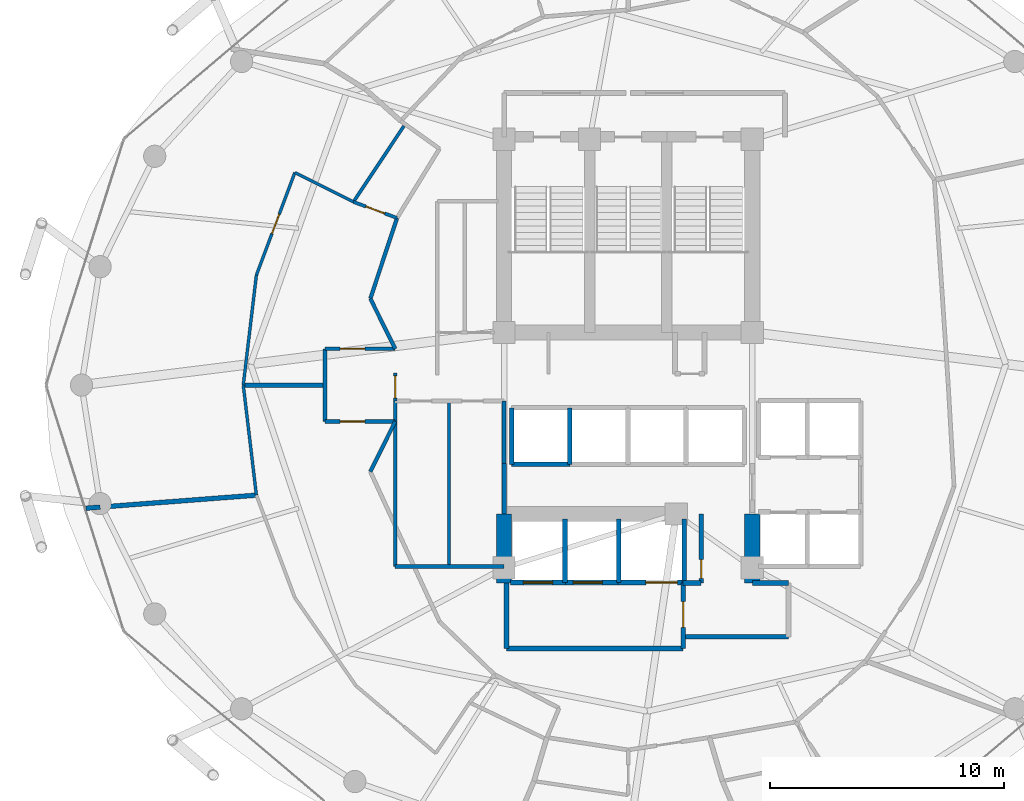
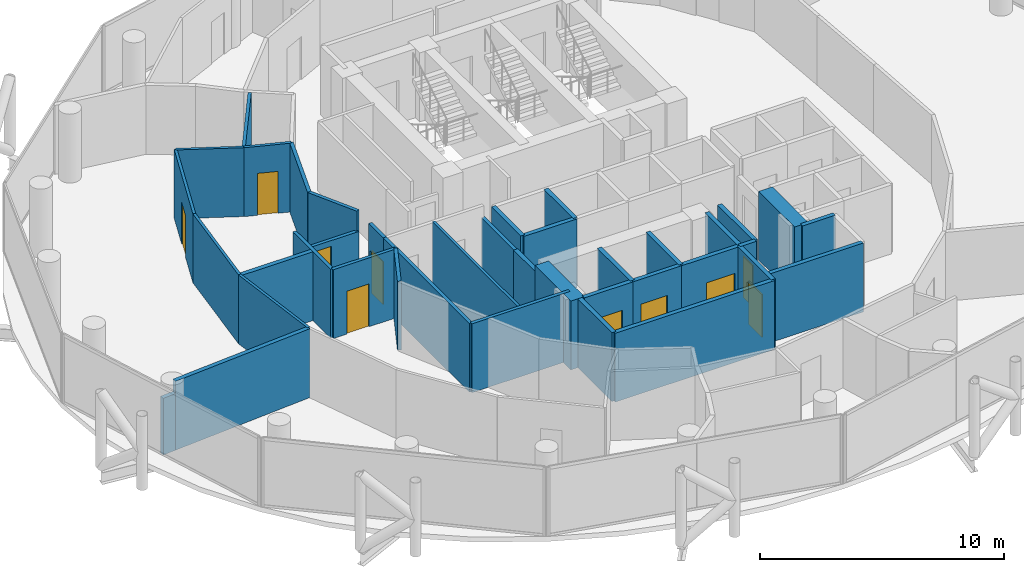
# One storey, part 22 of 26: 39 walls, 10 doors, 10 openings.
"""IFC4 building model written with IfcOpenShell, lengths in metres."""

from ifc_helpers import new_model, si_unit, direction, frame, frame_2d, origin, place, context, subcontext, project, spatial, rectangle, extrude, material, layer, layer_set, type_object, element, fill, save


model = new_model("IFC4")

# Units and contexts
model_context = context("Model", 3, precision=1e-05, world=origin(), true_north=direction((0.0, 1.0)))
body_context = subcontext(model_context, "Body", "Model", "MODEL_VIEW")
ifc_project = project(units=[si_unit("LENGTHUNIT", "METRE"), si_unit("AREAUNIT", "SQUARE_METRE"), si_unit("VOLUMEUNIT", "CUBIC_METRE"), si_unit("PLANEANGLEUNIT", "RADIAN"), si_unit("MASSUNIT", "GRAM", prefix="KILO")], contexts=[model_context])

# Site, building, storey
site_placement = place(None, origin())
site = spatial("IfcSite", under=ifc_project, at=site_placement, CompositionType="ELEMENT")
building_placement = place(site_placement, origin())
building = spatial("IfcBuilding", under=site, at=building_placement, Name="Nuhasar Tower", CompositionType="ELEMENT")
storey_placement = place(building_placement, frame((0.0, 0.0, 147.85009765625)))
storey = spatial("IfcBuildingStorey", under=building, at=storey_placement, Name="L35", CompositionType="ELEMENT", Elevation=147.85009765625)

# Walls
ifc_material_1 = material(Name="Concrete C65/80", Category="concrete")
ifc_layer_1 = layer(ifc_material_1, 0.64990234375)
ifc_layer_set_1 = layer_set([ifc_layer_1], Name="Concrete C65/80")
wall_type_1 = type_object("IfcWallType", Name="WL-CORE-650", PredefinedType="SHEAR", material=ifc_layer_set_1)
for number, where, z_axis, x_axis, name in (
    (1, (33.699951171875, 18.35009765625, 0.0), (0.0, 0.0, 1.0), (0.0, 1.0, 0.0), "L35 Core Shear Wall CW-SW CW-650"),
    (2, (44.300048828125, 18.35009765625, 0.0), (0.0, 0.0, 1.0), (0.0, 1.0, 0.0), "L35 Core Shear Wall CW-SE CW-650"),
):
    element("IfcWall", number, at=place(storey_placement, frame(where, z_axis=z_axis, x_axis=x_axis)), inside=storey, type_object=wall_type_1, Name=name, PredefinedType="SHEAR", context=body_context, shape_type="SweptSolid", body=[
        extrude(rectangle(XDim=2.949951171875, YDim=0.64990234375, at=frame_2d((1.47509765625, 0.0))), origin(), (0.0, 0.0, 1.0), 3.449951171875),
    ])
ifc_material_2 = material(Name="Gypsum Board", Category="gypsum")
ifc_layer_2 = layer(ifc_material_2, 0.159912109375)
ifc_layer_set_2 = layer_set([ifc_layer_2], Name="Gypsum Board")
wall_type_2 = type_object("IfcWallType", Name="WL-CORR-160", PredefinedType="PARTITIONING", material=ifc_layer_set_2)
wall_1_placement = place(storey_placement, frame((29.050048828125, 19.050048828125, 0.0), z_axis=(0.0, 0.0, 1.0), x_axis=(1.0, 0.0, 0.0)))
element("IfcWall", 3, at=wall_1_placement, inside=storey, type_object=wall_type_2, Name="L35 Interior Partition RECL-B1-S", PredefinedType="PARTITIONING", context=body_context, shape_type="SweptSolid", body=[
    extrude(rectangle(XDim=4.64990234375, YDim=0.159912109375, at=frame_2d((2.324951171875, 0.0))), origin(), (0.0, 0.0, 1.0), 3.449951171875),
])
wall_2_placement = place(storey_placement, frame((29.050048828125, 19.050048828125, 0.0), z_axis=(0.0, 0.0, 1.0), x_axis=(0.0, 1.0, 0.0)))
element("IfcWall", 4, at=wall_2_placement, inside=storey, type_object=wall_type_2, Name="L35 Interior Partition RECL-B1-W", PredefinedType="PARTITIONING", context=body_context, shape_type="SweptSolid", body=[
    extrude(rectangle(XDim=7.070068359375, YDim=0.159912109375, at=frame_2d((3.53515625, 0.0))), origin(), (0.0, 0.0, 1.0), 3.449951171875),
])
wall_3_placement = place(storey_placement, frame((33.699951171875, 23.449951171875, 0.0), z_axis=(0.0, 0.0, 1.0), x_axis=(0.0, 1.0, 0.0)))
element("IfcWall", 5, at=wall_3_placement, inside=storey, type_object=wall_type_2, Name="L35 Interior Partition RECL-B1-E", PredefinedType="PARTITIONING", context=body_context, shape_type="SweptSolid", body=[
    extrude(rectangle(XDim=2.670166015625, YDim=0.159912109375, at=frame_2d((1.3349609375, 0.0))), origin(), (0.0, 0.0, 1.0), 2.8349609375),
])

# Wall, opening, door
wall_4_placement = place(storey_placement, frame((29.050048828125, 26.1201171875, 0.0), z_axis=(0.0, 0.0, 1.0), x_axis=(0.0, 1.0, 0.0)))
wall_4 = element("IfcWall", 6, at=wall_4_placement, inside=storey, type_object=wall_type_2, Name="L35 Interior Partition WVEST-E", PredefinedType="PARTITIONING", context=body_context, shape_type="SweptSolid", body=[
    extrude(rectangle(XDim=1.199951171875, YDim=0.159912109375, at=frame_2d((0.60009765625, 0.0))), origin(), (0.0, 0.0, 1.0), 3.449951171875),
])
opening_1_placement = place(wall_4_placement, frame((0.125, 0.0, 0.0)))
opening_1 = element("IfcOpeningElement", 7, at=opening_1_placement, cuts=wall_4, Name="Opening DO-01", PredefinedType="OPENING", context=body_context, shape_type="SweptSolid", body=[
    extrude(rectangle(XDim=0.949951171875, YDim=2.14990234375, at=frame_2d((0.47509765625, 1.074951171875))), frame((0.0, 0.08984375, 0.0), z_axis=(0.0, -1.0, 0.0), x_axis=(1.0, 0.0, 0.0)), (0.0, 0.0, 1.0), 0.179931640625),
])
ifc_material_3 = material(Name="Timber Oak", Category="wood")
door_type_1 = type_object("IfcDoorType", Name="DR-OFFICE-FD30-950", OperationType="NOTDEFINED", PredefinedType="DOOR", material=ifc_material_3)
door_1_placement = place(opening_1_placement, origin())
door_1 = element("IfcDoor", 8, at=door_1_placement, inside=storey, type_object=door_type_1, Name="L35 West Arrival Foyer Core Door", OperationType="SINGLE_SWING_LEFT", OverallHeight=2.14990234375, OverallWidth=0.949951171875, PredefinedType="DOOR", context=body_context, shape_type="SweptSolid", body=[
    extrude(rectangle(XDim=0.949951171875, YDim=2.14990234375, at=frame_2d((0.47509765625, 1.074951171875))), frame((0.0, 0.02490234375, 0.0), z_axis=(0.0, -1.0, 0.0), x_axis=(1.0, 0.0, 0.0)), (0.0, 0.0, 1.0), 0.050048828125),
])
fill(opening_1, door_1)

# Wall
wall_5_placement = place(storey_placement, frame((29.126953125, 33.93994140625, 0.0), z_axis=(0.0, 0.0, 1.0), x_axis=(-0.313985571683, -0.949427754374, 0.0)))
element("IfcWall", 9, at=wall_5_placement, inside=storey, type_object=wall_type_2, Name="L35 Interior Partition HWEST-CORE-N-20", PredefinedType="PARTITIONING", context=body_context, shape_type="SweptSolid", body=[
    extrude(rectangle(XDim=3.627197265625, YDim=0.159912109375, at=frame_2d((1.8134765625, 0.0))), origin(), (0.0, 0.0, 1.0), 3.449951171875),
])

# Wall, opening, door
wall_6_placement = place(storey_placement, frame((26.050048828125, 28.35009765625, 0.0), z_axis=(0.0, 0.0, 1.0), x_axis=(1.0, 0.0, 0.0)))
wall_6 = element("IfcWall", 10, at=wall_6_placement, inside=storey, type_object=wall_type_2, Name="L35 Interior Partition WVEST-N", PredefinedType="PARTITIONING", context=body_context, shape_type="SweptSolid", body=[
    extrude(rectangle(XDim=3.0, YDim=0.159912109375, at=frame_2d((1.5, 0.0))), origin(), (0.0, 0.0, 1.0), 2.43994140625),
])
opening_2_placement = place(wall_6_placement, frame((0.64990234375, 0.0, 0.0)))
opening_2 = element("IfcOpeningElement", 11, at=opening_2_placement, cuts=wall_6, Name="Opening DU-01", PredefinedType="OPENING", context=body_context, shape_type="SweptSolid", body=[
    extrude(rectangle(XDim=1.050048828125, YDim=2.14990234375, at=frame_2d((0.52490234375, 1.074951171875))), frame((0.0, 0.08984375, 0.0), z_axis=(0.0, -1.0, 0.0), x_axis=(1.0, 0.0, 0.0)), (0.0, 0.0, 1.0), 0.179931640625),
])
door_type_2 = type_object("IfcDoorType", Name="DR-SUITE-FD60-1050", OperationType="NOTDEFINED", PredefinedType="DOOR", material=ifc_material_3)
door_2_placement = place(opening_2_placement, origin())
door_2 = element("IfcDoor", 12, at=door_2_placement, inside=storey, type_object=door_type_2, Name="L35 North-West Sunset Suite Entrance", OperationType="SINGLE_SWING_LEFT", OverallHeight=2.14990234375, OverallWidth=1.050048828125, PredefinedType="DOOR", context=body_context, shape_type="SweptSolid", body=[
    extrude(rectangle(XDim=1.050048828125, YDim=2.14990234375, at=frame_2d((0.52490234375, 1.074951171875))), frame((0.0, 0.02490234375, 0.0), z_axis=(0.0, -1.0, 0.0), x_axis=(1.0, 0.0, 0.0)), (0.0, 0.0, 1.0), 0.050048828125),
])
fill(opening_2, door_2)

wall_7_placement = place(storey_placement, frame((26.050048828125, 25.25, 0.0), z_axis=(0.0, 0.0, 1.0), x_axis=(1.0, 0.0, 0.0)))
wall_7 = element("IfcWall", 13, at=wall_7_placement, inside=storey, type_object=wall_type_2, Name="L35 Interior Partition WVEST-S", PredefinedType="PARTITIONING", context=body_context, shape_type="SweptSolid", body=[
    extrude(rectangle(XDim=3.0, YDim=0.159912109375, at=frame_2d((1.5, 0.0))), origin(), (0.0, 0.0, 1.0), 3.449951171875),
])
opening_3_placement = place(wall_7_placement, frame((0.64990234375, 0.0, 0.0)))
opening_3 = element("IfcOpeningElement", 14, at=opening_3_placement, cuts=wall_7, Name="Opening DU-01", PredefinedType="OPENING", context=body_context, shape_type="SweptSolid", body=[
    extrude(rectangle(XDim=1.050048828125, YDim=2.14990234375, at=frame_2d((0.52490234375, 1.074951171875))), frame((0.0, 0.08984375, 0.0), z_axis=(0.0, -1.0, 0.0), x_axis=(1.0, 0.0, 0.0)), (0.0, 0.0, 1.0), 0.179931640625),
])
door_3_placement = place(opening_3_placement, origin())
door_3 = element("IfcDoor", 15, at=door_3_placement, inside=storey, type_object=door_type_2, Name="L35 South-West Presidential Suite Entrance", OperationType="SINGLE_SWING_LEFT", OverallHeight=2.14990234375, OverallWidth=1.050048828125, PredefinedType="DOOR", context=body_context, shape_type="SweptSolid", body=[
    extrude(rectangle(XDim=1.050048828125, YDim=2.14990234375, at=frame_2d((0.52490234375, 1.074951171875))), frame((0.0, 0.02490234375, 0.0), z_axis=(0.0, -1.0, 0.0), x_axis=(1.0, 0.0, 0.0)), (0.0, 0.0, 1.0), 0.050048828125),
])
fill(opening_3, door_3)

# Walls
wall_8_placement = place(storey_placement, frame((26.050048828125, 25.25, 0.0), z_axis=(0.0, 0.0, 1.0), x_axis=(0.0, 1.0, 0.0)))
element("IfcWall", 16, at=wall_8_placement, inside=storey, type_object=wall_type_2, Name="L35 Interior Partition WVEST-W", PredefinedType="PARTITIONING", context=body_context, shape_type="SweptSolid", body=[
    extrude(rectangle(XDim=3.10009765625, YDim=0.159912109375, at=frame_2d((1.550048828125, 0.0))), origin(), (0.0, 0.0, 1.0), 3.449951171875),
])
for number, where, z_axis, x_axis, name in (
    (17, (27.988037109375, 30.49609375, 0.0), (0.0, 0.0, 1.0), (0.443539160525, -0.896254993337, 0.0), "L35 Interior Partition WVEST-CN"),
    (18, (27.988037109375, 23.10400390625, 0.0), (0.0, 0.0, 1.0), (0.443539160525, 0.896254993337, 0.0), "L35 Interior Partition WVEST-CS"),
):
    element("IfcWall", number, at=place(storey_placement, frame(where, z_axis=z_axis, x_axis=x_axis)), inside=storey, type_object=wall_type_2, Name=name, PredefinedType="PARTITIONING", context=body_context, shape_type="SweptSolid", body=[
        extrude(rectangle(XDim=2.394287109375, YDim=0.159912109375, at=frame_2d((1.197265625, 0.0))), origin(), (0.0, 0.0, 1.0), 3.449951171875),
    ])
ifc_material_4 = material(Name="Concrete C45/55", Category="concrete")
ifc_layer_3 = layer(ifc_material_4, 0.199951171875)
ifc_layer_set_3 = layer_set([ifc_layer_3], Name="Concrete C45/55")
wall_type_3 = type_object("IfcWallType", Name="WL-LOBBY-200", PredefinedType="SOLIDWALL", material=ifc_layer_set_3)
wall_9_placement = place(storey_placement, frame((33.699951171875, 21.300048828125, 0.0), z_axis=(0.0, 0.0, 1.0), x_axis=(0.0, 1.0, 0.0)))
element("IfcWall", 19, at=wall_9_placement, inside=storey, type_object=wall_type_3, Name="L35 Interior Partition LLBH-W", PredefinedType="SOLIDWALL", context=body_context, shape_type="SweptSolid", body=[
    extrude(rectangle(XDim=2.14990234375, YDim=0.199951171875, at=frame_2d((1.074951171875, 0.0))), origin(), (0.0, 0.0, 1.0), 2.8349609375),
])
wall_10_placement = place(storey_placement, frame((33.800048828125, 15.550048828125, 0.0), z_axis=(0.0, 0.0, 1.0), x_axis=(1.0, 0.0, 0.0)))
element("IfcWall", 20, at=wall_10_placement, inside=storey, type_object=wall_type_3, Name="L35 Interior Partition FFL-S", PredefinedType="SOLIDWALL", context=body_context, shape_type="SweptSolid", body=[
    extrude(rectangle(XDim=7.550048828125, YDim=0.199951171875, at=frame_2d((3.77490234375, 0.0))), origin(), (0.0, 0.0, 1.0), 3.449951171875),
])
wall_11_placement = place(storey_placement, frame((33.800048828125, 15.550048828125, 0.0), z_axis=(0.0, 0.0, 1.0), x_axis=(0.0, 1.0, 0.0)))
element("IfcWall", 21, at=wall_11_placement, inside=storey, type_object=wall_type_3, Name="L35 Interior Partition FFL-W", PredefinedType="SOLIDWALL", context=body_context, shape_type="SweptSolid", body=[
    extrude(rectangle(XDim=2.800048828125, YDim=0.199951171875, at=frame_2d((1.39990234375, 0.0))), origin(), (0.0, 0.0, 1.0), 3.449951171875),
])

# Wall, opening, door
wall_12_placement = place(storey_placement, frame((41.35009765625, 15.550048828125, 0.0), z_axis=(0.0, 0.0, 1.0), x_axis=(0.0, 1.0, 0.0)))
wall_12 = element("IfcWall", 22, at=wall_12_placement, inside=storey, type_object=wall_type_3, Name="L35 Interior Partition FFL-E", PredefinedType="SOLIDWALL", context=body_context, shape_type="SweptSolid", body=[
    extrude(rectangle(XDim=2.800048828125, YDim=0.199951171875, at=frame_2d((1.39990234375, 0.0))), origin(), (0.0, 0.0, 1.0), 3.449951171875),
])
opening_4_placement = place(wall_12_placement, frame((0.89990234375, 0.0, 0.0)))
opening_4 = element("IfcOpeningElement", 23, at=opening_4_placement, cuts=wall_12, Name="Opening DS-02", PredefinedType="OPENING", context=body_context, shape_type="SweptSolid", body=[
    extrude(rectangle(XDim=1.10009765625, YDim=2.14990234375, at=frame_2d((0.550048828125, 1.074951171875))), frame((0.0, 0.10986328125, 0.0), z_axis=(0.0, -1.0, 0.0), x_axis=(1.0, 0.0, 0.0)), (0.0, 0.0, 1.0), 0.219970703125),
])
ifc_material_5 = material(Name="Steel S355", Category="steel")
door_type_3 = type_object("IfcDoorType", Name="DR-FFL-FD120-1100", OperationType="NOTDEFINED", PredefinedType="DOOR", material=ifc_material_5)
door_4_placement = place(opening_4_placement, origin())
door_4 = element("IfcDoor", 24, at=door_4_placement, inside=storey, type_object=door_type_3, Name="L35 Firefighting Lobby Door", OperationType="SINGLE_SWING_RIGHT", OverallHeight=2.14990234375, OverallWidth=1.10009765625, PredefinedType="DOOR", context=body_context, shape_type="SweptSolid", body=[
    extrude(rectangle(XDim=1.10009765625, YDim=2.14990234375, at=frame_2d((0.550048828125, 1.074951171875))), frame((0.0, 0.02490234375, 0.0), z_axis=(0.0, -1.0, 0.0), x_axis=(1.0, 0.0, 0.0)), (0.0, 0.0, 1.0), 0.050048828125),
])
fill(opening_4, door_4)

# Walls
wall_13_placement = place(storey_placement, frame((41.35009765625, 16.050048828125, 0.0), z_axis=(0.0, 0.0, 1.0), x_axis=(1.0, 0.0, 0.0)))
element("IfcWall", 25, at=wall_13_placement, inside=storey, type_object=wall_type_3, Name="L35 Interior Partition SVLV-S", PredefinedType="SOLIDWALL", context=body_context, shape_type="SweptSolid", body=[
    extrude(rectangle(XDim=4.5, YDim=0.199951171875, at=frame_2d((2.25, 0.0))), origin(), (0.0, 0.0, 1.0), 3.449951171875),
])
wall_14_placement = place(storey_placement, frame((44.300048828125, 18.35009765625, 0.0), z_axis=(0.0, 0.0, 1.0), x_axis=(1.0, 0.0, 0.0)))
element("IfcWall", 26, at=wall_14_placement, inside=storey, type_object=wall_type_3, Name="L35 Interior Partition SVLV-N", PredefinedType="SOLIDWALL", context=body_context, shape_type="SweptSolid", body=[
    extrude(rectangle(XDim=1.550048828125, YDim=0.199951171875, at=frame_2d((0.77490234375, 0.0))), origin(), (0.0, 0.0, 1.0), 3.449951171875),
])
ifc_layer_4 = layer(ifc_material_2, 0.125)
ifc_layer_set_4 = layer_set([ifc_layer_4], Name="Gypsum Board")
wall_type_4 = type_object("IfcWallType", Name="WL-PART-125", PredefinedType="PARTITIONING", material=ifc_layer_set_4)
wall_15_placement = place(storey_placement, frame((31.35009765625, 19.050048828125, 0.0), z_axis=(0.0, 0.0, 1.0), x_axis=(0.0, 1.0, 0.0)))
element("IfcWall", 27, at=wall_15_placement, inside=storey, type_object=wall_type_4, Name="L35 Interior Partition RECL-B1-V", PredefinedType="PARTITIONING", context=body_context, shape_type="SweptSolid", body=[
    extrude(rectangle(XDim=7.070068359375, YDim=0.125, at=frame_2d((3.53515625, 0.0))), origin(), (0.0, 0.0, 1.0), 3.449951171875),
])
wall_16_placement = place(storey_placement, frame((27.264892578125, 34.625, 0.0), z_axis=(0.0, 0.0, 1.0), x_axis=(-0.893868262645, 0.448329710187, 0.0)))
element("IfcWall", 28, at=wall_16_placement, inside=storey, type_object=wall_type_4, Name="L35 Interior Partition HWS1-S", PredefinedType="PARTITIONING", context=body_context, shape_type="SweptSolid", body=[
    extrude(rectangle(XDim=2.799072265625, YDim=0.125, at=frame_2d((1.3994140625, 0.0))), origin(), (0.0, 0.0, 1.0), 3.449951171875),
])

# Wall, opening, door
wall_17_placement = place(storey_placement, frame((24.762939453125, 35.8798828125, 0.0), z_axis=(0.0, 0.0, 1.0), x_axis=(-0.351192075157, -0.936303437111, 0.0)))
wall_17 = element("IfcWall", 29, at=wall_17_placement, inside=storey, type_object=wall_type_4, Name="L35 Interior Partition HWS1-ARC-20", PredefinedType="PARTITIONING", context=body_context, shape_type="SweptSolid", body=[
    extrude(rectangle(XDim=4.677734375, YDim=0.125, at=frame_2d((2.3388671875, 0.0))), origin(), (0.0, 0.0, 1.0), 3.449951171875),
])
opening_5_placement = place(wall_17_placement, frame((1.888916015625, 0.0, 0.0)))
opening_5 = element("IfcOpeningElement", 30, at=opening_5_placement, cuts=wall_17, Name="Opening DR-01", PredefinedType="OPENING", context=body_context, shape_type="SweptSolid", body=[
    extrude(rectangle(XDim=0.89990234375, YDim=2.10009765625, at=frame_2d((0.449951171875, 1.050048828125))), frame((0.0, 0.072509765625, 0.0), z_axis=(0.0, -1.0, 0.0), x_axis=(1.0, 0.0, 0.0)), (0.0, 0.0, 1.0), 0.14501953125),
])
door_type_4 = type_object("IfcDoorType", Name="DR-ROOM-900", OperationType="NOTDEFINED", PredefinedType="DOOR", material=ifc_material_3)
door_5_placement = place(opening_5_placement, origin())
door_5 = element("IfcDoor", 31, at=door_5_placement, inside=storey, type_object=door_type_4, Name="L35 North-West Sunset Suite Bedroom Door", OperationType="SINGLE_SWING_RIGHT", OverallHeight=2.10009765625, OverallWidth=0.89990234375, PredefinedType="DOOR", context=body_context, shape_type="SweptSolid", body=[
    extrude(rectangle(XDim=0.89990234375, YDim=2.10009765625, at=frame_2d((0.449951171875, 1.050048828125))), frame((0.0, 0.02490234375, 0.0), z_axis=(0.0, -1.0, 0.0), x_axis=(1.0, 0.0, 0.0)), (0.0, 0.0, 1.0), 0.050048828125),
])
fill(opening_5, door_5)

# Walls
for number, where, z_axis, x_axis, name in (
    (32, (23.1201171875, 31.5, 0.0), (0.0, 0.0, 1.0), (-0.118325506778, -0.992974860933, 0.0), "L35 Interior Partition HWS1-ARC-22"),
    (33, (22.56005859375, 26.800048828125, 0.0), (0.0, 0.0, 1.0), (0.118325506778, -0.992974860933, 0.0), "L35 Interior Partition HWS2-ARC-24"),
):
    element("IfcWall", number, at=place(storey_placement, frame(where, z_axis=z_axis, x_axis=x_axis)), inside=storey, type_object=wall_type_4, Name=name, PredefinedType="PARTITIONING", context=body_context, shape_type="SweptSolid", body=[
        extrude(rectangle(XDim=4.733154296875, YDim=0.125, at=frame_2d((2.36669921875, 0.0))), origin(), (0.0, 0.0, 1.0), 3.449951171875),
    ])
ifc_layer_5 = layer(ifc_material_4, 0.199951171875)
ifc_layer_set_5 = layer_set([ifc_layer_5], Name="Concrete C45/55")
wall_type_5 = type_object("IfcWallType", Name="WL-SHAFT-200", PredefinedType="SOLIDWALL", material=ifc_layer_set_5)
wall_18_placement = place(storey_placement, frame((34.02001953125, 23.419921875, 0.0), z_axis=(0.0, 0.0, 1.0), x_axis=(1.0, 0.0, 0.0)))
element("IfcWall", 34, at=wall_18_placement, inside=storey, type_object=wall_type_5, Name="L35 Interior Partition SHF-PL-H01-S", PredefinedType="SOLIDWALL", context=body_context, shape_type="SweptSolid", body=[
    extrude(rectangle(XDim=2.5, YDim=0.199951171875, at=frame_2d((1.25, 0.0))), origin(), (0.0, 0.0, 1.0), 3.449951171875),
])
for number, where, z_axis, x_axis, name in (
    (35, (34.02001953125, 23.419921875, 0.0), (0.0, 0.0, 1.0), (0.0, 1.0, 0.0), "L35 Interior Partition SHF-PL-H01-W"),
    (36, (36.510009765625, 23.419921875, 0.0), (0.0, 0.0, 1.0), (0.0, 1.0, 0.0), "L35 Interior Partition SHF-PL-H01-E"),
):
    element("IfcWall", number, at=place(storey_placement, frame(where, z_axis=z_axis, x_axis=x_axis)), inside=storey, type_object=wall_type_5, Name=name, PredefinedType="SOLIDWALL", context=body_context, shape_type="SweptSolid", body=[
        extrude(rectangle(XDim=2.41015625, YDim=0.199951171875, at=frame_2d((1.205078125, 0.0))), origin(), (0.0, 0.0, 1.0), 3.449951171875),
    ])

# Wall, opening, door
wall_19_placement = place(storey_placement, frame((33.969970703125, 18.3701171875, 0.0), z_axis=(0.0, 0.0, 1.0), x_axis=(1.0, 0.0, 0.0)))
wall_19 = element("IfcWall", 37, at=wall_19_placement, inside=storey, type_object=wall_type_5, Name="L35 Interior Partition SHF-FFL-01-S", PredefinedType="SOLIDWALL", context=body_context, shape_type="SweptSolid", body=[
    extrude(rectangle(XDim=2.360107421875, YDim=0.199951171875, at=frame_2d((1.18017578125, 0.0))), origin(), (0.0, 0.0, 1.0), 3.449951171875),
])
opening_6_placement = place(wall_19_placement, frame((0.554931640625, 0.0, 0.0)))
opening_6 = element("IfcOpeningElement", 38, at=opening_6_placement, cuts=wall_19, Name="Opening LD-F01", PredefinedType="OPENING", context=body_context, shape_type="SweptSolid", body=[
    extrude(rectangle(XDim=1.25, YDim=2.199951171875, at=frame_2d((0.625, 1.10009765625))), frame((0.0, 0.10986328125, 0.0), z_axis=(0.0, -1.0, 0.0), x_axis=(1.0, 0.0, 0.0)), (0.0, 0.0, 1.0), 0.219970703125),
])
ifc_material_6 = material(Name="Stainless Steel 316L", Category="steel")
door_type_5 = type_object("IfcDoorType", Name="LD-FFL-1250", OperationType="DOUBLE_DOOR_SLIDING", PredefinedType="DOOR", material=ifc_material_6)
door_6_placement = place(opening_6_placement, origin())
door_6 = element("IfcDoor", 39, at=door_6_placement, inside=storey, type_object=door_type_5, Name="L35 Lift Landing Door FFL-01", OperationType="DOUBLE_DOOR_SLIDING", OverallHeight=2.199951171875, OverallWidth=1.25, PredefinedType="DOOR", context=body_context, shape_type="SweptSolid", body=[
    extrude(rectangle(XDim=1.25, YDim=2.199951171875, at=frame_2d((0.625, 1.10009765625))), frame((0.0, 0.02490234375, 0.0), z_axis=(0.0, -1.0, 0.0), x_axis=(1.0, 0.0, 0.0)), (0.0, 0.0, 1.0), 0.050048828125),
])
fill(opening_6, door_6)

# Wall
wall_20_placement = place(storey_placement, frame((36.300048828125, 18.3701171875, 0.0), z_axis=(0.0, 0.0, 1.0), x_axis=(0.0, 1.0, 0.0)))
element("IfcWall", 40, at=wall_20_placement, inside=storey, type_object=wall_type_5, Name="L35 Interior Partition SHF-FFL-01-E", PredefinedType="SOLIDWALL", context=body_context, shape_type="SweptSolid", body=[
    extrude(rectangle(XDim=2.7099609375, YDim=0.199951171875, at=frame_2d((1.35498046875, 0.0))), origin(), (0.0, 0.0, 1.0), 3.449951171875),
])

# Wall, opening, door
wall_21_placement = place(storey_placement, frame((36.27001953125, 18.3701171875, 0.0), z_axis=(0.0, 0.0, 1.0), x_axis=(1.0, 0.0, 0.0)))
wall_21 = element("IfcWall", 41, at=wall_21_placement, inside=storey, type_object=wall_type_5, Name="L35 Interior Partition SHF-FFL-02-S", PredefinedType="SOLIDWALL", context=body_context, shape_type="SweptSolid", body=[
    extrude(rectangle(XDim=2.35986328125, YDim=0.199951171875, at=frame_2d((1.179931640625, 0.0))), origin(), (0.0, 0.0, 1.0), 3.449951171875),
])
opening_7_placement = place(wall_21_placement, frame((0.3798828125, 0.0, 0.0)))
opening_7 = element("IfcOpeningElement", 42, at=opening_7_placement, cuts=wall_21, Name="Opening LD-F02", PredefinedType="OPENING", context=body_context, shape_type="SweptSolid", body=[
    extrude(rectangle(XDim=1.25, YDim=2.199951171875, at=frame_2d((0.625, 1.10009765625))), frame((0.0, 0.10986328125, 0.0), z_axis=(0.0, -1.0, 0.0), x_axis=(1.0, 0.0, 0.0)), (0.0, 0.0, 1.0), 0.219970703125),
])
door_7_placement = place(opening_7_placement, origin())
door_7 = element("IfcDoor", 43, at=door_7_placement, inside=storey, type_object=door_type_5, Name="L35 Lift Landing Door FFL-02", OperationType="DOUBLE_DOOR_SLIDING", OverallHeight=2.199951171875, OverallWidth=1.25, PredefinedType="DOOR", context=body_context, shape_type="SweptSolid", body=[
    extrude(rectangle(XDim=1.25, YDim=2.199951171875, at=frame_2d((0.625, 1.10009765625))), frame((0.0, 0.02490234375, 0.0), z_axis=(0.0, -1.0, 0.0), x_axis=(1.0, 0.0, 0.0)), (0.0, 0.0, 1.0), 0.050048828125),
])
fill(opening_7, door_7)

# Wall
wall_22_placement = place(storey_placement, frame((38.60009765625, 18.3701171875, 0.0), z_axis=(0.0, 0.0, 1.0), x_axis=(0.0, 1.0, 0.0)))
element("IfcWall", 44, at=wall_22_placement, inside=storey, type_object=wall_type_5, Name="L35 Interior Partition SHF-FFL-02-E", PredefinedType="SOLIDWALL", context=body_context, shape_type="SweptSolid", body=[
    extrude(rectangle(XDim=2.7099609375, YDim=0.199951171875, at=frame_2d((1.35498046875, 0.0))), origin(), (0.0, 0.0, 1.0), 3.449951171875),
])

# Wall, opening, door
wall_23_placement = place(storey_placement, frame((38.570068359375, 18.3701171875, 0.0), z_axis=(0.0, 0.0, 1.0), x_axis=(1.0, 0.0, 0.0)))
wall_23 = element("IfcWall", 45, at=wall_23_placement, inside=storey, type_object=wall_type_5, Name="L35 Interior Partition SHF-SVL-01-S", PredefinedType="SOLIDWALL", context=body_context, shape_type="SweptSolid", body=[
    extrude(rectangle(XDim=2.829833984375, YDim=0.199951171875, at=frame_2d((1.4150390625, 0.0))), origin(), (0.0, 0.0, 1.0), 3.449951171875),
])
opening_8_placement = place(wall_23_placement, frame((1.179931640625, 0.0, 0.0)))
opening_8 = element("IfcOpeningElement", 46, at=opening_8_placement, cuts=wall_23, Name="Opening LD-S01", PredefinedType="OPENING", context=body_context, shape_type="SweptSolid", body=[
    extrude(rectangle(XDim=1.35009765625, YDim=2.179931640625, at=frame_2d((0.675048828125, 1.08984375))), frame((0.0, 0.10986328125, 0.0), z_axis=(0.0, -1.0, 0.0), x_axis=(1.0, 0.0, 0.0)), (0.0, 0.0, 1.0), 0.219970703125),
])
door_type_6 = type_object("IfcDoorType", Name="LD-SVL-1350", OperationType="DOUBLE_DOOR_SLIDING", PredefinedType="DOOR", material=ifc_material_6)
door_8_placement = place(opening_8_placement, origin())
door_8 = element("IfcDoor", 47, at=door_8_placement, inside=storey, type_object=door_type_6, Name="L35 Lift Landing Door SVL-01", OperationType="DOUBLE_DOOR_SLIDING", OverallHeight=2.179931640625, OverallWidth=1.35009765625, PredefinedType="DOOR", context=body_context, shape_type="SweptSolid", body=[
    extrude(rectangle(XDim=1.35009765625, YDim=2.179931640625, at=frame_2d((0.675048828125, 1.08984375))), frame((0.0, 0.02490234375, 0.0), z_axis=(0.0, -1.0, 0.0), x_axis=(1.0, 0.0, 0.0)), (0.0, 0.0, 1.0), 0.050048828125),
])
fill(opening_8, door_8)

# Wall
wall_24_placement = place(storey_placement, frame((41.39990234375, 18.3701171875, 0.0), z_axis=(0.0, 0.0, 1.0), x_axis=(0.0, 1.0, 0.0)))
element("IfcWall", 48, at=wall_24_placement, inside=storey, type_object=wall_type_5, Name="L35 Interior Partition SHF-SVL-01-E", PredefinedType="SOLIDWALL", context=body_context, shape_type="SweptSolid", body=[
    extrude(rectangle(XDim=2.7099609375, YDim=0.199951171875, at=frame_2d((1.35498046875, 0.0))), origin(), (0.0, 0.0, 1.0), 3.449951171875),
])

# Wall, opening, door
wall_25_placement = place(storey_placement, frame((42.1201171875, 18.35009765625, 0.0), z_axis=(0.0, 0.0, 1.0), x_axis=(0.0, 1.0, 0.0)))
wall_25 = element("IfcWall", 49, at=wall_25_placement, inside=storey, type_object=wall_type_5, Name="L35 Interior Partition RSR-E", PredefinedType="SOLIDWALL", context=body_context, shape_type="SweptSolid", body=[
    extrude(rectangle(XDim=2.949951171875, YDim=0.199951171875, at=frame_2d((1.47509765625, 0.0))), origin(), (0.0, 0.0, 1.0), 3.449951171875),
])
opening_9_placement = place(wall_25_placement, frame((0.199951171875, 0.0, 0.0)))
opening_9 = element("IfcOpeningElement", 50, at=opening_9_placement, cuts=wall_25, Name="Opening DM-01", PredefinedType="OPENING", context=body_context, shape_type="SweptSolid", body=[
    extrude(rectangle(XDim=0.800048828125, YDim=2.050048828125, at=frame_2d((0.39990234375, 1.02490234375))), frame((0.0, 0.10986328125, 0.0), z_axis=(0.0, -1.0, 0.0), x_axis=(1.0, 0.0, 0.0)), (0.0, 0.0, 1.0), 0.219970703125),
])
door_type_7 = type_object("IfcDoorType", Name="DR-RISER-FD60-800", OperationType="NOTDEFINED", PredefinedType="DOOR", material=ifc_material_5)
door_9_placement = place(opening_9_placement, origin())
door_9 = element("IfcDoor", 51, at=door_9_placement, inside=storey, type_object=door_type_7, Name="L35 MEP Riser Access Door", OperationType="SINGLE_SWING_LEFT", OverallHeight=2.050048828125, OverallWidth=0.800048828125, PredefinedType="DOOR", context=body_context, shape_type="SweptSolid", body=[
    extrude(rectangle(XDim=0.800048828125, YDim=2.050048828125, at=frame_2d((0.39990234375, 1.02490234375))), frame((0.0, 0.02490234375, 0.0), z_axis=(0.0, -1.0, 0.0), x_axis=(1.0, 0.0, 0.0)), (0.0, 0.0, 1.0), 0.050048828125),
])
fill(opening_9, door_9)

# Walls
wall_26_placement = place(storey_placement, frame((41.35009765625, 18.35009765625, 0.0), z_axis=(0.0, 0.0, 1.0), x_axis=(1.0, 0.0, 0.0)))
element("IfcWall", 52, at=wall_26_placement, inside=storey, type_object=wall_type_5, Name="L35 Interior Partition RSR-S", PredefinedType="SOLIDWALL", context=body_context, shape_type="SweptSolid", body=[
    extrude(rectangle(XDim=0.77001953125, YDim=0.199951171875, at=frame_2d((0.385009765625, 0.0))), origin(), (0.0, 0.0, 1.0), 3.449951171875),
])
ifc_material_7 = material(Name="Concrete C40/50 precast", Category="concrete")
ifc_layer_6 = layer(ifc_material_7, 0.199951171875)
ifc_layer_set_6 = layer_set([ifc_layer_6], Name="Concrete C40/50 precast")
wall_type_6 = type_object("IfcWallType", Name="WL-UNIT-200", PredefinedType="PARTITIONING", material=ifc_layer_set_6)
wall_27_placement = place(storey_placement, frame((26.050048828125, 26.800048828125, 0.0), z_axis=(0.0, 0.0, 1.0), x_axis=(-1.0, 0.0, 0.0)))
element("IfcWall", 53, at=wall_27_placement, inside=storey, type_object=wall_type_6, Name="L35 Interior Partition HWEST-DIV-IN", PredefinedType="PARTITIONING", context=body_context, shape_type="SweptSolid", body=[
    extrude(rectangle(XDim=3.489990234375, YDim=0.199951171875, at=frame_2d((1.7451171875, 0.0))), origin(), (0.0, 0.0, 1.0), 3.449951171875),
])
wall_28_placement = place(storey_placement, frame((23.1201171875, 22.10009765625, 0.0), z_axis=(0.0, 0.0, 1.0), x_axis=(-0.997102364168, -0.076071514848, 0.0)))
element("IfcWall", 54, at=wall_28_placement, inside=storey, type_object=wall_type_6, Name="L35 Interior Partition HWEST-DIV-OUT", PredefinedType="PARTITIONING", context=body_context, shape_type="SweptSolid", body=[
    extrude(rectangle(XDim=6.69140625, YDim=0.199951171875, at=frame_2d((3.345703125, 0.0))), origin(), (0.0, 0.0, 1.0), 3.449951171875),
])
wall_29_placement = place(storey_placement, frame((16.447998046875, 21.591064453125, 0.0), z_axis=(0.0, 0.0, 1.0), x_axis=(-0.997030969882, -0.077001591512, 0.0)))
element("IfcWall", 55, at=wall_29_placement, inside=storey, type_object=wall_type_6, Name="L35 Interior Partition HWEST-DIV-OUT", PredefinedType="PARTITIONING", context=body_context, shape_type="SweptSolid", body=[
    extrude(rectangle(XDim=0.61181640625, YDim=0.199951171875, at=frame_2d((0.305908203125, 0.0))), origin(), (0.0, 0.0, 1.0), 2.8349609375),
])

# Wall, opening, door
ifc_layer_7 = layer(ifc_material_7, 0.139892578125)
ifc_layer_set_7 = layer_set([ifc_layer_7], Name="Concrete C40/50 precast")
wall_type_7 = type_object("IfcWallType", Name="WL-WET-140", PredefinedType="PARTITIONING", material=ifc_layer_set_7)
wall_30_placement = place(storey_placement, frame((27.264892578125, 34.625, 0.0), z_axis=(0.0, 0.0, 1.0), x_axis=(0.938500583084, -0.345277649945, 0.0)))
wall_30 = element("IfcWall", 56, at=wall_30_placement, inside=storey, type_object=wall_type_7, Name="L35 Interior Partition HBW1-S", PredefinedType="PARTITIONING", context=body_context, shape_type="SweptSolid", body=[
    extrude(rectangle(XDim=1.984130859375, YDim=0.139892578125, at=frame_2d((0.9921875, 0.0))), origin(), (0.0, 0.0, 1.0), 3.449951171875),
])
opening_10_placement = place(wall_30_placement, frame((0.56689453125, 0.0, 0.0)))
opening_10 = element("IfcOpeningElement", 57, at=opening_10_placement, cuts=wall_30, Name="Opening DB-01", PredefinedType="OPENING", context=body_context, shape_type="SweptSolid", body=[
    extrude(rectangle(XDim=0.85009765625, YDim=2.10009765625, at=frame_2d((0.425048828125, 1.050048828125))), frame((0.0, 0.080078125, 0.0), z_axis=(0.0, -1.0, 0.0), x_axis=(1.0, 0.0, 0.0)), (0.0, 0.0, 1.0), 0.159912109375),
])
door_type_8 = type_object("IfcDoorType", Name="DR-BATH-850", OperationType="NOTDEFINED", PredefinedType="DOOR", material=ifc_material_3)
door_10_placement = place(opening_10_placement, origin())
door_10 = element("IfcDoor", 58, at=door_10_placement, inside=storey, type_object=door_type_8, Name="L35 North-West Sunset Suite En-Suite Door", OperationType="SINGLE_SWING_LEFT", OverallHeight=2.10009765625, OverallWidth=0.85009765625, PredefinedType="DOOR", context=body_context, shape_type="SweptSolid", body=[
    extrude(rectangle(XDim=0.85009765625, YDim=2.10009765625, at=frame_2d((0.425048828125, 1.050048828125))), frame((0.0, 0.02490234375, 0.0), z_axis=(0.0, -1.0, 0.0), x_axis=(1.0, 0.0, 0.0)), (0.0, 0.0, 1.0), 0.050048828125),
])
fill(opening_10, door_10)

# Wall
wall_31_placement = place(storey_placement, frame((29.4189453125, 37.865966796875, 0.0), z_axis=(0.0, 0.0, 1.0), x_axis=(-0.553526949376, -0.832831265212, 0.0)))
element("IfcWall", 59, at=wall_31_placement, inside=storey, type_object=wall_type_7, Name="L35 Interior Partition HBW1-E", PredefinedType="PARTITIONING", context=body_context, shape_type="SweptSolid", body=[
    extrude(rectangle(XDim=3.8916015625, YDim=0.139892578125, at=frame_2d((1.94580078125, 0.0))), origin(), (0.0, 0.0, 1.0), 3.449951171875),
])

save(model, "model.ifc")
